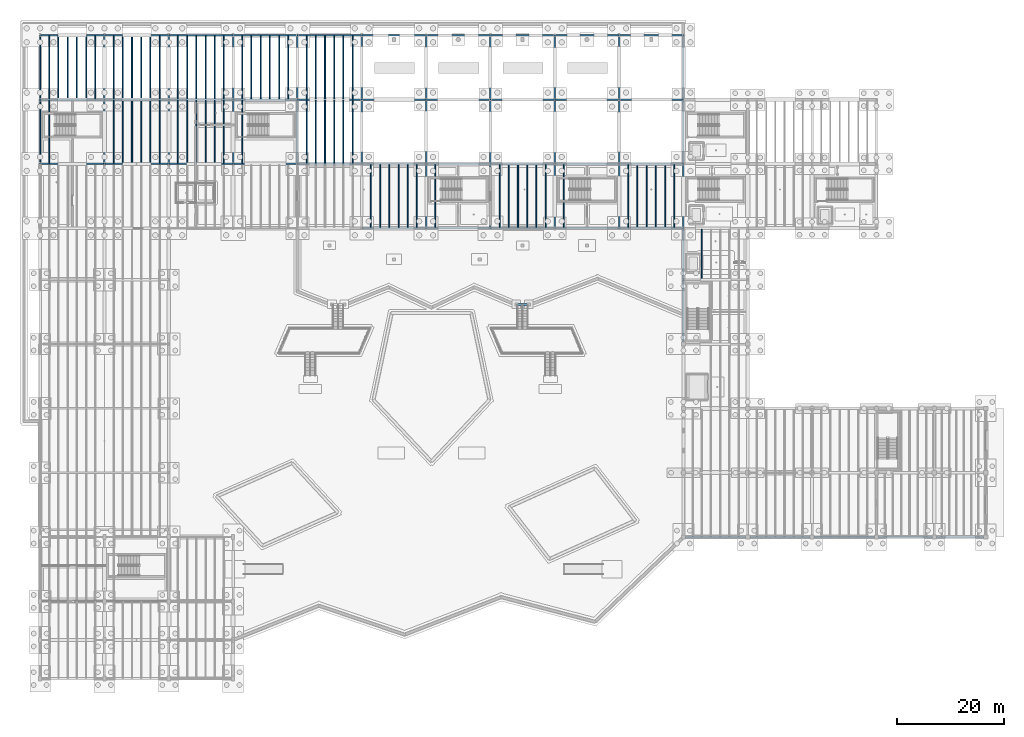
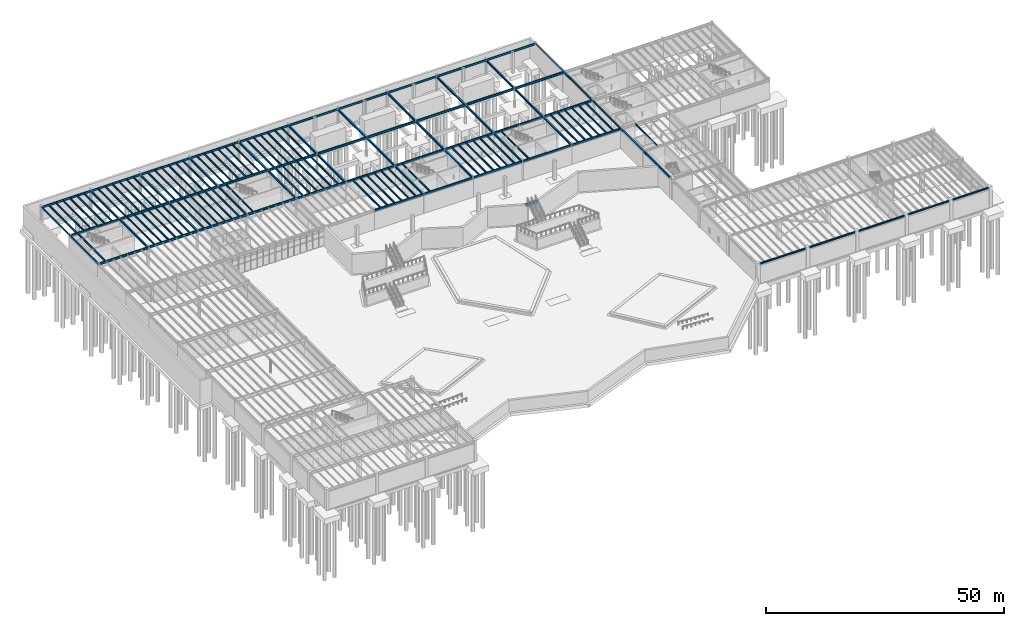
# One storey, part 26 of 67: 141 beams.
"""IFC4 building model written with IfcOpenShell, lengths in metres."""

from ifc_helpers import new_model, si_unit, direction, frame, origin, origin_2d, place, context, subcontext, project, spatial, rectangle, hollow_rectangle, i_section, extrude, material, material_profile, profile_set, type_object, element, save


model = new_model("IFC4")

# Units and contexts
model_context = context("Model", 3, precision=1e-05, world=origin(), true_north=direction((0.0, 1.0)))
body_context = subcontext(model_context, "Body", "Model", "MODEL_VIEW")
ifc_project = project(units=[si_unit("LENGTHUNIT", "METRE"), si_unit("AREAUNIT", "SQUARE_METRE"), si_unit("VOLUMEUNIT", "CUBIC_METRE"), si_unit("PLANEANGLEUNIT", "RADIAN"), si_unit("MASSUNIT", "GRAM", prefix="KILO")], contexts=[model_context])

# Site, building, storey
site_placement = place(None, origin())
site = spatial("IfcSite", under=ifc_project, at=site_placement, CompositionType="ELEMENT")
building_placement = place(site_placement, origin())
building = spatial("IfcBuilding", under=site, at=building_placement, Name="Zlatogorsky Bluff Art Gallery", CompositionType="ELEMENT")
storey_placement = place(building_placement, frame((0.0, 0.0, -5.39990234375)))
storey = spatial("IfcBuildingStorey", under=building, at=storey_placement, Name="B1", CompositionType="ELEMENT", Elevation=-5.39990234375)

# Beams
ifc_material_1 = material(Name="Steel S355", Category="steel")
ifc_material_profile_1 = material_profile(ifc_material_1, i_section(OverallWidth=0.300048828125, OverallDepth=0.550048828125, WebThickness=0.014892578125, FlangeThickness=0.029052734375, FilletRadius=0.027099609375, at=origin_2d()), Name="HEB 550")
ifc_profile_set_1 = profile_set([ifc_material_profile_1], Name="Steel S355")
beam_type_1 = type_object("IfcBeamType", Name="Beam BM-01 HEB 550", PredefinedType="BEAM", material=ifc_profile_set_1)
for number, where, z_axis, x_axis, name in (
    (1, (0.014892578125, 96.0, 4.764892578125), (1.0, 0.0, 0.0), (0.0, 1.0, 0.0), "Primary girder BM-01 B1 A-B/10"),
    (2, (0.014892578125, 108.0, 4.764892578125), (1.0, 0.0, 0.0), (0.0, 1.0, 0.0), "Primary girder BM-01 B1 A-B/11"),
    (3, (12.014892578125, 96.0, 4.844970703125), (1.0, 0.0, 0.0), (0.0, 1.0, 0.0), "Primary girder BM-01 B1 B-C/10"),
    (4, (12.014892578125, 108.0, 4.844970703125), (1.0, 0.0, 0.0), (0.0, 1.0, 0.0), "Primary girder BM-01 B1 B-C/11"),
    (5, (24.014892578125, 96.0, 4.844970703125), (1.0, 0.0, 0.0), (0.0, 1.0, 0.0), "Primary girder BM-01 B1 C-D/10"),
    (6, (24.014892578125, 108.0, 4.844970703125), (1.0, 0.0, 0.0), (0.0, 1.0, 0.0), "Primary girder BM-01 B1 C-D/11"),
    (7, (36.014892578125, 96.0, 4.844970703125), (1.0, 0.0, 0.0), (0.0, 1.0, 0.0), "Primary girder BM-01 B1 D-E/10"),
    (8, (36.014892578125, 108.0, 4.844970703125), (1.0, 0.0, 0.0), (0.0, 1.0, 0.0), "Primary girder BM-01 B1 D-E/11"),
    (9, (48.014892578125, 96.0, 4.764892578125), (1.0, 0.0, 0.0), (0.0, 1.0, 0.0), "Primary girder BM-01 B1 E-F/10"),
    (10, (48.014892578125, 108.0, 4.764892578125), (1.0, 0.0, 0.0), (0.0, 1.0, 0.0), "Primary girder BM-01 B1 E-F/11"),
    (11, (60.014892578125, 84.0, 4.764892578125), (1.0, 0.0, 0.0), (0.0, 1.0, 0.0), "Primary girder BM-01 B1 F-G/9"),
    (12, (60.014892578125, 96.0, 4.764892578125), (1.0, 0.0, 0.0), (0.0, 1.0, 0.0), "Primary girder BM-01 B1 F-G/10"),
    (13, (60.014892578125, 108.0, 4.764892578125), (1.0, 0.0, 0.0), (0.0, 1.0, 0.0), "Primary girder BM-01 B1 F-G/11"),
    (14, (72.014892578125, 84.0, 4.764892578125), (1.0, 0.0, 0.0), (0.0, 1.0, 0.0), "Primary girder BM-01 B1 G-H/9"),
    (15, (72.014892578125, 96.0, 4.764892578125), (1.0, 0.0, 0.0), (0.0, 1.0, 0.0), "Primary girder BM-01 B1 G-H/10"),
    (16, (72.014892578125, 108.0, 4.764892578125), (1.0, 0.0, 0.0), (0.0, 1.0, 0.0), "Primary girder BM-01 B1 G-H/11"),
    (17, (84.014892578125, 84.0, 4.764892578125), (1.0, 0.0, 0.0), (0.0, 1.0, 0.0), "Primary girder BM-01 B1 H-J/9"),
    (18, (84.014892578125, 96.0, 4.764892578125), (1.0, 0.0, 0.0), (0.0, 1.0, 0.0), "Primary girder BM-01 B1 H-J/10"),
    (19, (84.014892578125, 108.0, 4.764892578125), (1.0, 0.0, 0.0), (0.0, 1.0, 0.0), "Primary girder BM-01 B1 H-J/11"),
    (20, (96.014892578125, 84.0, 4.764892578125), (1.0, 0.0, 0.0), (0.0, 1.0, 0.0), "Primary girder BM-01 B1 J-K/9"),
    (21, (96.014892578125, 96.0, 4.764892578125), (1.0, 0.0, 0.0), (0.0, 1.0, 0.0), "Primary girder BM-01 B1 J-K/10"),
    (22, (96.014892578125, 108.0, 4.764892578125), (1.0, 0.0, 0.0), (0.0, 1.0, 0.0), "Primary girder BM-01 B1 J-K/11"),
    (23, (108.014892578125, 84.0, 4.764892578125), (1.0, 0.0, 0.0), (0.0, 1.0, 0.0), "Primary girder BM-01 B1 K-L/9"),
    (24, (108.014892578125, 96.0, 4.764892578125), (1.0, 0.0, 0.0), (0.0, 1.0, 0.0), "Primary girder BM-01 B1 K-L/10"),
    (25, (108.014892578125, 108.0, 4.764892578125), (1.0, 0.0, 0.0), (0.0, 1.0, 0.0), "Primary girder BM-01 B1 K-L/11"),
):
    element("IfcBeam", number, at=place(storey_placement, frame(where, z_axis=z_axis, x_axis=x_axis)), inside=storey, type_object=beam_type_1, Name=name, PredefinedType="BEAM", context=body_context, shape_type="SweptSolid", body=[
        extrude(i_section(OverallWidth=0.300048828125, OverallDepth=0.550048828125, WebThickness=0.014892578125, FlangeThickness=0.029052734375, FilletRadius=0.027099609375, at=origin_2d()), origin(), (0.0, 0.0, 1.0), 11.97021484375),
    ])
ifc_material_profile_2 = material_profile(ifc_material_1, i_section(OverallWidth=0.300048828125, OverallDepth=0.489990234375, WebThickness=0.011962890625, FlangeThickness=0.02294921875, FilletRadius=0.027099609375, at=origin_2d()), Name="HEA 500")
ifc_profile_set_2 = profile_set([ifc_material_profile_2], Name="Steel S355")
beam_type_2 = type_object("IfcBeamType", Name="Beam BM-07 HEA 500", PredefinedType="BEAM", material=ifc_profile_set_2)
for number, where, z_axis, x_axis, name in (
    (26, (12.0, 96.014892578125, 4.875), (0.0, 1.0, 0.0), (-1.0, 0.0, 0.0), "Primary girder BM-07 B1 B/10-11"),
    (27, (12.0, 108.014892578125, 4.794921875), (0.0, 1.0, 0.0), (-1.0, 0.0, 0.0), "Primary girder BM-07 B1 B/11-12"),
    (28, (24.0, 96.014892578125, 4.875), (0.0, 1.0, 0.0), (-1.0, 0.0, 0.0), "Primary girder BM-07 B1 C/10-11"),
    (29, (24.0, 108.014892578125, 4.794921875), (0.0, 1.0, 0.0), (-1.0, 0.0, 0.0), "Primary girder BM-07 B1 C/11-12"),
    (30, (36.0, 96.014892578125, 4.875), (0.0, 1.0, 0.0), (-1.0, 0.0, 0.0), "Primary girder BM-07 B1 D/10-11"),
    (31, (36.0, 108.014892578125, 4.794921875), (0.0, 1.0, 0.0), (-1.0, 0.0, 0.0), "Primary girder BM-07 B1 D/11-12"),
    (32, (48.0, 96.014892578125, 4.875), (0.0, 1.0, 0.0), (-1.0, 0.0, 0.0), "Primary girder BM-07 B1 E/10-11"),
    (33, (48.0, 108.014892578125, 4.794921875), (0.0, 1.0, 0.0), (-1.0, 0.0, 0.0), "Primary girder BM-07 B1 E/11-12"),
    (34, (60.0, 96.014892578125, 4.794921875), (0.0, 1.0, 0.0), (-1.0, 0.0, 0.0), "Primary girder BM-07 B1 F/10-11"),
    (35, (60.0, 108.014892578125, 4.794921875), (0.0, 1.0, 0.0), (-1.0, 0.0, 0.0), "Primary girder BM-07 B1 F/11-12"),
    (36, (72.0, 84.014892578125, 4.794921875), (0.0, 1.0, 0.0), (-1.0, 0.0, 0.0), "Primary girder BM-07 B1 G/9-10"),
    (37, (72.0, 96.014892578125, 4.794921875), (0.0, 1.0, 0.0), (-1.0, 0.0, 0.0), "Primary girder BM-07 B1 G/10-11"),
    (38, (72.0, 108.014892578125, 4.794921875), (0.0, 1.0, 0.0), (-1.0, 0.0, 0.0), "Primary girder BM-07 B1 G/11-12"),
    (39, (84.0, 84.014892578125, 4.794921875), (0.0, 1.0, 0.0), (-1.0, 0.0, 0.0), "Primary girder BM-07 B1 H/9-10"),
    (40, (84.0, 96.014892578125, 4.794921875), (0.0, 1.0, 0.0), (-1.0, 0.0, 0.0), "Primary girder BM-07 B1 H/10-11"),
    (41, (84.0, 108.014892578125, 4.794921875), (0.0, 1.0, 0.0), (-1.0, 0.0, 0.0), "Primary girder BM-07 B1 H/11-12"),
    (42, (96.0, 84.014892578125, 4.794921875), (0.0, 1.0, 0.0), (-1.0, 0.0, 0.0), "Primary girder BM-07 B1 J/9-10"),
    (43, (96.0, 96.014892578125, 4.794921875), (0.0, 1.0, 0.0), (-1.0, 0.0, 0.0), "Primary girder BM-07 B1 J/10-11"),
    (44, (96.0, 108.014892578125, 4.794921875), (0.0, 1.0, 0.0), (-1.0, 0.0, 0.0), "Primary girder BM-07 B1 J/11-12"),
    (45, (108.0, 84.014892578125, 4.794921875), (0.0, 1.0, 0.0), (-1.0, 0.0, 0.0), "Primary girder BM-07 B1 K/9-10"),
    (46, (108.0, 96.014892578125, 4.794921875), (0.0, 1.0, 0.0), (-1.0, 0.0, 0.0), "Primary girder BM-07 B1 K/10-11"),
    (47, (108.0, 108.014892578125, 4.794921875), (0.0, 1.0, 0.0), (-1.0, 0.0, 0.0), "Primary girder BM-07 B1 K/11-12"),
):
    element("IfcBeam", number, at=place(storey_placement, frame(where, z_axis=z_axis, x_axis=x_axis)), inside=storey, type_object=beam_type_2, Name=name, PredefinedType="BEAM", context=body_context, shape_type="SweptSolid", body=[
        extrude(i_section(OverallWidth=0.300048828125, OverallDepth=0.489990234375, WebThickness=0.011962890625, FlangeThickness=0.02294921875, FilletRadius=0.027099609375, at=origin_2d()), origin(), (0.0, 0.0, 1.0), 11.97021484375),
    ])
ifc_material_profile_3 = material_profile(ifc_material_1, i_section(OverallWidth=0.300048828125, OverallDepth=0.389892578125, WebThickness=0.010986328125, FlangeThickness=0.01904296875, FilletRadius=0.027099609375, at=origin_2d()), Name="HEA 400")
ifc_profile_set_3 = profile_set([ifc_material_profile_3], Name="Steel S355")
beam_type_3 = type_object("IfcBeamType", Name="Beam BM-09 HEA 400", PredefinedType="BEAM", material=ifc_profile_set_3)
for number, where, z_axis, x_axis, name in (
    (48, (120.3798828125, 26.39990234375, 4.9248046875), (1.0, 0.0, 0.0), (0.0, 1.0, 0.0), "Primary girder BM-09 B1 L-M/4"),
    (49, (132.3798828125, 26.39990234375, 4.9248046875), (1.0, 0.0, 0.0), (0.0, 1.0, 0.0), "Primary girder BM-09 B1 M-N/4"),
    (50, (144.3798828125, 26.39990234375, 4.9248046875), (1.0, 0.0, 0.0), (0.0, 1.0, 0.0), "Primary girder BM-09 B1 N-P/4"),
):
    element("IfcBeam", number, at=place(storey_placement, frame(where, z_axis=z_axis, x_axis=x_axis)), inside=storey, type_object=beam_type_3, Name=name, PredefinedType="BEAM", context=body_context, shape_type="SweptSolid", body=[
        extrude(i_section(OverallWidth=0.300048828125, OverallDepth=0.389892578125, WebThickness=0.010986328125, FlangeThickness=0.01904296875, FilletRadius=0.027099609375, at=origin_2d()), origin(), (0.0, 0.0, 1.0), 11.240234375),
    ])
beam_1_placement = place(storey_placement, frame((120.0, 62.780029296875, 4.844970703125), z_axis=(0.0, 1.0, 0.0), x_axis=(-1.0, 0.0, 0.0)))
element("IfcBeam", 51, at=beam_1_placement, inside=storey, type_object=beam_type_3, Name="Primary girder BM-09 B1 L/7-8", PredefinedType="BEAM", context=body_context, shape_type="SweptSolid", body=[
    extrude(i_section(OverallWidth=0.300048828125, OverallDepth=0.389892578125, WebThickness=0.010986328125, FlangeThickness=0.01904296875, FilletRadius=0.027099609375, at=origin_2d()), origin(), (0.0, 0.0, 1.0), 11.60498046875),
])
for number, where, z_axis, x_axis, name in (
    (52, (120.0, 84.014892578125, 4.844970703125), (0.0, 1.0, 0.0), (-1.0, 0.0, 0.0), "Primary girder BM-09 B1 L/9-10"),
    (53, (120.0, 96.014892578125, 4.844970703125), (0.0, 1.0, 0.0), (-1.0, 0.0, 0.0), "Primary girder BM-09 B1 L/10-11"),
    (54, (120.0, 108.014892578125, 4.844970703125), (0.0, 1.0, 0.0), (-1.0, 0.0, 0.0), "Primary girder BM-09 B1 L/11-12"),
):
    element("IfcBeam", number, at=place(storey_placement, frame(where, z_axis=z_axis, x_axis=x_axis)), inside=storey, type_object=beam_type_3, Name=name, PredefinedType="BEAM", context=body_context, shape_type="SweptSolid", body=[
        extrude(i_section(OverallWidth=0.300048828125, OverallDepth=0.389892578125, WebThickness=0.010986328125, FlangeThickness=0.01904296875, FilletRadius=0.027099609375, at=origin_2d()), origin(), (0.0, 0.0, 1.0), 11.97021484375),
    ])
ifc_material_profile_4 = material_profile(ifc_material_1, i_section(OverallWidth=0.300048828125, OverallDepth=0.35009765625, WebThickness=0.010009765625, FlangeThickness=0.017578125, FilletRadius=0.027099609375, at=origin_2d()), Name="HEA 360")
ifc_profile_set_4 = profile_set([ifc_material_profile_4], Name="Steel S355")
beam_type_4 = type_object("IfcBeamType", Name="Beam BM-10 HEA 360", PredefinedType="BEAM", material=ifc_profile_set_4)
beam_2_placement = place(storey_placement, frame((156.3798828125, 26.39990234375, 4.94482421875), z_axis=(1.0, 0.0, 0.0), x_axis=(0.0, 1.0, 0.0)))
element("IfcBeam", 55, at=beam_2_placement, inside=storey, type_object=beam_type_4, Name="Primary girder BM-10 B1 P-Q/4", PredefinedType="BEAM", context=body_context, shape_type="SweptSolid", body=[
    extrude(i_section(OverallWidth=0.300048828125, OverallDepth=0.35009765625, WebThickness=0.010009765625, FlangeThickness=0.017578125, FilletRadius=0.027099609375, at=origin_2d()), origin(), (0.0, 0.0, 1.0), 10.0400390625),
])
beam_3_placement = place(storey_placement, frame((167.179931640625, 26.39990234375, 4.94482421875), z_axis=(1.0, 0.0, 0.0), x_axis=(0.0, 1.0, 0.0)))
element("IfcBeam", 56, at=beam_3_placement, inside=storey, type_object=beam_type_4, Name="Primary girder BM-10 B1 Q-R/4", PredefinedType="BEAM", context=body_context, shape_type="SweptSolid", body=[
    extrude(i_section(OverallWidth=0.300048828125, OverallDepth=0.35009765625, WebThickness=0.010009765625, FlangeThickness=0.017578125, FilletRadius=0.027099609375, at=origin_2d()), origin(), (0.0, 0.0, 1.0), 8.840087890625),
])
beam_4_placement = place(storey_placement, frame((120.0, 74.4150390625, 4.864990234375), z_axis=(0.0, 1.0, 0.0), x_axis=(-1.0, 0.0, 0.0)))
element("IfcBeam", 57, at=beam_4_placement, inside=storey, type_object=beam_type_4, Name="Primary girder BM-10 B1 L/8-9", PredefinedType="BEAM", context=body_context, shape_type="SweptSolid", body=[
    extrude(i_section(OverallWidth=0.300048828125, OverallDepth=0.35009765625, WebThickness=0.010009765625, FlangeThickness=0.017578125, FilletRadius=0.027099609375, at=origin_2d()), origin(), (0.0, 0.0, 1.0), 9.570068359375),
])
ifc_material_2 = material(Name="Concrete C35/45", Category="concrete")
ifc_material_profile_5 = material_profile(ifc_material_2, rectangle(XDim=0.39990234375, YDim=0.60009765625, at=origin_2d()), Name="RCB 400x600")
ifc_profile_set_5 = profile_set([ifc_material_profile_5], Name="Concrete C35/45")
beam_type_5 = type_object("IfcBeamType", Name="Beam BM-15 RCB 400x600", PredefinedType="BEAM", material=ifc_profile_set_5)
beam_5_placement = place(storey_placement, frame((88.60009765625, 69.800048828125, 4.739990234375), z_axis=(1.0, 0.0, 0.0), x_axis=(0.0, 1.0, 0.0)))
element("IfcBeam", 58, at=beam_5_placement, inside=storey, type_object=beam_type_5, Name="Amphitheatre 2 upper landing header beam", PredefinedType="BEAM", context=body_context, shape_type="SweptSolid", body=[
    extrude(rectangle(XDim=0.39990234375, YDim=0.60009765625, at=origin_2d()), origin(), (0.0, 0.0, 1.0), 2.7998046875),
])
ifc_material_profile_6 = material_profile(ifc_material_1, i_section(OverallWidth=0.169921875, OverallDepth=0.360107421875, WebThickness=0.008056640625, FlangeThickness=0.0126953125, FilletRadius=0.01806640625, at=origin_2d()), Name="IPE 360")
ifc_profile_set_6 = profile_set([ifc_material_profile_6], Name="Steel S355")
beam_type_6 = type_object("IfcBeamType", Name="Beam JS-04 IPE 360", PredefinedType="JOIST", material=ifc_profile_set_6)
beam_6_placement = place(storey_placement, frame((123.428466796875, 74.550048828125, 4.93994140625), z_axis=(0.0, 1.0, 0.0), x_axis=(-1.0, 0.0, 0.0)))
element("IfcBeam", 59, at=beam_6_placement, inside=storey, type_object=beam_type_6, Name="Composite floor joist JS-04 B1 10.07.2", PredefinedType="JOIST", context=body_context, shape_type="SweptSolid", body=[
    extrude(i_section(OverallWidth=0.169921875, OverallDepth=0.360107421875, WebThickness=0.008056640625, FlangeThickness=0.0126953125, FilletRadius=0.01806640625, at=origin_2d()), origin(), (0.0, 0.0, 1.0), 9.300048828125),
])
ifc_material_profile_7 = material_profile(ifc_material_1, i_section(OverallWidth=0.18994140625, OverallDepth=0.449951171875, WebThickness=0.009521484375, FlangeThickness=0.0146484375, FilletRadius=0.02099609375, at=origin_2d()), Name="IPE 450")
ifc_profile_set_7 = profile_set([ifc_material_profile_7], Name="Steel S355")
beam_type_7 = type_object("IfcBeamType", Name="Beam JS-06 IPE 450", PredefinedType="JOIST", material=ifc_profile_set_7)
beam_7_placement = place(storey_placement, frame((1.71435546875, 96.14990234375, 4.89501953125), z_axis=(0.0, 1.0, 0.0), x_axis=(-1.0, 0.0, 0.0)))
element("IfcBeam", 60, at=beam_7_placement, inside=storey, type_object=beam_type_7, Name="Composite floor joist JS-06 B1 00.09.1", PredefinedType="JOIST", context=body_context, shape_type="SweptSolid", body=[
    extrude(i_section(OverallWidth=0.18994140625, OverallDepth=0.449951171875, WebThickness=0.009521484375, FlangeThickness=0.0146484375, FilletRadius=0.02099609375, at=origin_2d()), origin(), (0.0, 0.0, 1.0), 11.7001953125),
])
for number, where, z_axis, x_axis, name in (
    (61, (1.71435546875, 108.14990234375, 4.81494140625), (0.0, 1.0, 0.0), (-1.0, 0.0, 0.0), "Composite floor joist JS-06 B1 00.10.1"),
    (62, (3.428466796875, 108.14990234375, 4.81494140625), (0.0, 1.0, 0.0), (-1.0, 0.0, 0.0), "Composite floor joist JS-06 B1 00.10.2"),
    (63, (5.142822265625, 108.14990234375, 4.81494140625), (0.0, 1.0, 0.0), (-1.0, 0.0, 0.0), "Composite floor joist JS-06 B1 00.10.3"),
    (64, (6.857177734375, 108.14990234375, 4.81494140625), (0.0, 1.0, 0.0), (-1.0, 0.0, 0.0), "Composite floor joist JS-06 B1 00.10.4"),
    (65, (8.571533203125, 108.14990234375, 4.81494140625), (0.0, 1.0, 0.0), (-1.0, 0.0, 0.0), "Composite floor joist JS-06 B1 00.10.5"),
    (66, (10.28564453125, 108.14990234375, 4.81494140625), (0.0, 1.0, 0.0), (-1.0, 0.0, 0.0), "Composite floor joist JS-06 B1 00.10.6"),
):
    element("IfcBeam", number, at=place(storey_placement, frame(where, z_axis=z_axis, x_axis=x_axis)), inside=storey, type_object=beam_type_7, Name=name, PredefinedType="JOIST", context=body_context, shape_type="SweptSolid", body=[
        extrude(i_section(OverallWidth=0.18994140625, OverallDepth=0.449951171875, WebThickness=0.009521484375, FlangeThickness=0.0146484375, FilletRadius=0.02099609375, at=origin_2d()), origin(), (0.0, 0.0, 1.0), 11.75),
    ])
for number, where, z_axis, x_axis, name in (
    (67, (13.71435546875, 96.14990234375, 4.89501953125), (0.0, 1.0, 0.0), (-1.0, 0.0, 0.0), "Composite floor joist JS-06 B1 01.09.1"),
    (68, (15.428466796875, 96.14990234375, 4.89501953125), (0.0, 1.0, 0.0), (-1.0, 0.0, 0.0), "Composite floor joist JS-06 B1 01.09.2"),
    (69, (17.142822265625, 96.14990234375, 4.89501953125), (0.0, 1.0, 0.0), (-1.0, 0.0, 0.0), "Composite floor joist JS-06 B1 01.09.3"),
    (70, (18.857177734375, 96.14990234375, 4.89501953125), (0.0, 1.0, 0.0), (-1.0, 0.0, 0.0), "Composite floor joist JS-06 B1 01.09.4"),
    (71, (20.571533203125, 96.14990234375, 4.89501953125), (0.0, 1.0, 0.0), (-1.0, 0.0, 0.0), "Composite floor joist JS-06 B1 01.09.5"),
    (72, (22.28564453125, 96.14990234375, 4.89501953125), (0.0, 1.0, 0.0), (-1.0, 0.0, 0.0), "Composite floor joist JS-06 B1 01.09.6"),
):
    element("IfcBeam", number, at=place(storey_placement, frame(where, z_axis=z_axis, x_axis=x_axis)), inside=storey, type_object=beam_type_7, Name=name, PredefinedType="JOIST", context=body_context, shape_type="SweptSolid", body=[
        extrude(i_section(OverallWidth=0.18994140625, OverallDepth=0.449951171875, WebThickness=0.009521484375, FlangeThickness=0.0146484375, FilletRadius=0.02099609375, at=origin_2d()), origin(), (0.0, 0.0, 1.0), 11.7001953125),
    ])
for number, where, z_axis, x_axis, name in (
    (73, (13.71435546875, 108.14990234375, 4.81494140625), (0.0, 1.0, 0.0), (-1.0, 0.0, 0.0), "Composite floor joist JS-06 B1 01.10.1"),
    (74, (15.428466796875, 108.14990234375, 4.81494140625), (0.0, 1.0, 0.0), (-1.0, 0.0, 0.0), "Composite floor joist JS-06 B1 01.10.2"),
    (75, (17.142822265625, 108.14990234375, 4.81494140625), (0.0, 1.0, 0.0), (-1.0, 0.0, 0.0), "Composite floor joist JS-06 B1 01.10.3"),
    (76, (18.857177734375, 108.14990234375, 4.81494140625), (0.0, 1.0, 0.0), (-1.0, 0.0, 0.0), "Composite floor joist JS-06 B1 01.10.4"),
    (77, (20.571533203125, 108.14990234375, 4.81494140625), (0.0, 1.0, 0.0), (-1.0, 0.0, 0.0), "Composite floor joist JS-06 B1 01.10.5"),
    (78, (22.28564453125, 108.14990234375, 4.81494140625), (0.0, 1.0, 0.0), (-1.0, 0.0, 0.0), "Composite floor joist JS-06 B1 01.10.6"),
):
    element("IfcBeam", number, at=place(storey_placement, frame(where, z_axis=z_axis, x_axis=x_axis)), inside=storey, type_object=beam_type_7, Name=name, PredefinedType="JOIST", context=body_context, shape_type="SweptSolid", body=[
        extrude(i_section(OverallWidth=0.18994140625, OverallDepth=0.449951171875, WebThickness=0.009521484375, FlangeThickness=0.0146484375, FilletRadius=0.02099609375, at=origin_2d()), origin(), (0.0, 0.0, 1.0), 11.75),
    ])
for number, where, z_axis, x_axis, name in (
    (79, (25.71435546875, 96.14990234375, 4.89501953125), (0.0, 1.0, 0.0), (-1.0, 0.0, 0.0), "Composite floor joist JS-06 B1 02.09.1"),
    (80, (27.428466796875, 96.14990234375, 4.89501953125), (0.0, 1.0, 0.0), (-1.0, 0.0, 0.0), "Composite floor joist JS-06 B1 02.09.2"),
    (81, (29.142822265625, 96.14990234375, 4.89501953125), (0.0, 1.0, 0.0), (-1.0, 0.0, 0.0), "Composite floor joist JS-06 B1 02.09.3"),
    (82, (30.857177734375, 96.14990234375, 4.89501953125), (0.0, 1.0, 0.0), (-1.0, 0.0, 0.0), "Composite floor joist JS-06 B1 02.09.4"),
    (83, (32.571533203125, 96.14990234375, 4.89501953125), (0.0, 1.0, 0.0), (-1.0, 0.0, 0.0), "Composite floor joist JS-06 B1 02.09.5"),
    (84, (34.28564453125, 96.14990234375, 4.89501953125), (0.0, 1.0, 0.0), (-1.0, 0.0, 0.0), "Composite floor joist JS-06 B1 02.09.6"),
):
    element("IfcBeam", number, at=place(storey_placement, frame(where, z_axis=z_axis, x_axis=x_axis)), inside=storey, type_object=beam_type_7, Name=name, PredefinedType="JOIST", context=body_context, shape_type="SweptSolid", body=[
        extrude(i_section(OverallWidth=0.18994140625, OverallDepth=0.449951171875, WebThickness=0.009521484375, FlangeThickness=0.0146484375, FilletRadius=0.02099609375, at=origin_2d()), origin(), (0.0, 0.0, 1.0), 11.7001953125),
    ])
for number, where, z_axis, x_axis, name in (
    (85, (25.71435546875, 108.14990234375, 4.81494140625), (0.0, 1.0, 0.0), (-1.0, 0.0, 0.0), "Composite floor joist JS-06 B1 02.10.1"),
    (86, (27.428466796875, 108.14990234375, 4.81494140625), (0.0, 1.0, 0.0), (-1.0, 0.0, 0.0), "Composite floor joist JS-06 B1 02.10.2"),
    (87, (29.142822265625, 108.14990234375, 4.81494140625), (0.0, 1.0, 0.0), (-1.0, 0.0, 0.0), "Composite floor joist JS-06 B1 02.10.3"),
    (88, (30.857177734375, 108.14990234375, 4.81494140625), (0.0, 1.0, 0.0), (-1.0, 0.0, 0.0), "Composite floor joist JS-06 B1 02.10.4"),
    (89, (32.571533203125, 108.14990234375, 4.81494140625), (0.0, 1.0, 0.0), (-1.0, 0.0, 0.0), "Composite floor joist JS-06 B1 02.10.5"),
    (90, (34.28564453125, 108.14990234375, 4.81494140625), (0.0, 1.0, 0.0), (-1.0, 0.0, 0.0), "Composite floor joist JS-06 B1 02.10.6"),
):
    element("IfcBeam", number, at=place(storey_placement, frame(where, z_axis=z_axis, x_axis=x_axis)), inside=storey, type_object=beam_type_7, Name=name, PredefinedType="JOIST", context=body_context, shape_type="SweptSolid", body=[
        extrude(i_section(OverallWidth=0.18994140625, OverallDepth=0.449951171875, WebThickness=0.009521484375, FlangeThickness=0.0146484375, FilletRadius=0.02099609375, at=origin_2d()), origin(), (0.0, 0.0, 1.0), 11.75),
    ])
beam_8_placement = place(storey_placement, frame((37.71435546875, 96.14990234375, 4.89501953125), z_axis=(0.0, 1.0, 0.0), x_axis=(-1.0, 0.0, 0.0)))
element("IfcBeam", 91, at=beam_8_placement, inside=storey, type_object=beam_type_7, Name="Composite floor joist JS-06 B1 03.09.1", PredefinedType="JOIST", context=body_context, shape_type="SweptSolid", body=[
    extrude(i_section(OverallWidth=0.18994140625, OverallDepth=0.449951171875, WebThickness=0.009521484375, FlangeThickness=0.0146484375, FilletRadius=0.02099609375, at=origin_2d()), origin(), (0.0, 0.0, 1.0), 11.7001953125),
])
for number, where, z_axis, x_axis, name in (
    (92, (37.71435546875, 108.14990234375, 4.81494140625), (0.0, 1.0, 0.0), (-1.0, 0.0, 0.0), "Composite floor joist JS-06 B1 03.10.1"),
    (93, (39.428466796875, 108.14990234375, 4.81494140625), (0.0, 1.0, 0.0), (-1.0, 0.0, 0.0), "Composite floor joist JS-06 B1 03.10.2"),
    (94, (41.142822265625, 108.14990234375, 4.81494140625), (0.0, 1.0, 0.0), (-1.0, 0.0, 0.0), "Composite floor joist JS-06 B1 03.10.3"),
    (95, (42.857177734375, 108.14990234375, 4.81494140625), (0.0, 1.0, 0.0), (-1.0, 0.0, 0.0), "Composite floor joist JS-06 B1 03.10.4"),
    (96, (44.571533203125, 108.14990234375, 4.81494140625), (0.0, 1.0, 0.0), (-1.0, 0.0, 0.0), "Composite floor joist JS-06 B1 03.10.5"),
    (97, (46.28564453125, 108.14990234375, 4.81494140625), (0.0, 1.0, 0.0), (-1.0, 0.0, 0.0), "Composite floor joist JS-06 B1 03.10.6"),
):
    element("IfcBeam", number, at=place(storey_placement, frame(where, z_axis=z_axis, x_axis=x_axis)), inside=storey, type_object=beam_type_7, Name=name, PredefinedType="JOIST", context=body_context, shape_type="SweptSolid", body=[
        extrude(i_section(OverallWidth=0.18994140625, OverallDepth=0.449951171875, WebThickness=0.009521484375, FlangeThickness=0.0146484375, FilletRadius=0.02099609375, at=origin_2d()), origin(), (0.0, 0.0, 1.0), 11.75),
    ])
for number, where, z_axis, x_axis, name in (
    (98, (49.71435546875, 96.14990234375, 4.89501953125), (0.0, 1.0, 0.0), (-1.0, 0.0, 0.0), "Composite floor joist JS-06 B1 04.09.1"),
    (99, (51.428466796875, 96.14990234375, 4.89501953125), (0.0, 1.0, 0.0), (-1.0, 0.0, 0.0), "Composite floor joist JS-06 B1 04.09.2"),
    (100, (53.142822265625, 96.14990234375, 4.89501953125), (0.0, 1.0, 0.0), (-1.0, 0.0, 0.0), "Composite floor joist JS-06 B1 04.09.3"),
    (101, (54.857177734375, 96.14990234375, 4.89501953125), (0.0, 1.0, 0.0), (-1.0, 0.0, 0.0), "Composite floor joist JS-06 B1 04.09.4"),
    (102, (56.571533203125, 96.14990234375, 4.89501953125), (0.0, 1.0, 0.0), (-1.0, 0.0, 0.0), "Composite floor joist JS-06 B1 04.09.5"),
    (103, (58.28564453125, 96.14990234375, 4.89501953125), (0.0, 1.0, 0.0), (-1.0, 0.0, 0.0), "Composite floor joist JS-06 B1 04.09.6"),
):
    element("IfcBeam", number, at=place(storey_placement, frame(where, z_axis=z_axis, x_axis=x_axis)), inside=storey, type_object=beam_type_7, Name=name, PredefinedType="JOIST", context=body_context, shape_type="SweptSolid", body=[
        extrude(i_section(OverallWidth=0.18994140625, OverallDepth=0.449951171875, WebThickness=0.009521484375, FlangeThickness=0.0146484375, FilletRadius=0.02099609375, at=origin_2d()), origin(), (0.0, 0.0, 1.0), 11.7001953125),
    ])
for number, where, z_axis, x_axis, name in (
    (104, (49.71435546875, 108.14990234375, 4.81494140625), (0.0, 1.0, 0.0), (-1.0, 0.0, 0.0), "Composite floor joist JS-06 B1 04.10.1"),
    (105, (51.428466796875, 108.14990234375, 4.81494140625), (0.0, 1.0, 0.0), (-1.0, 0.0, 0.0), "Composite floor joist JS-06 B1 04.10.2"),
    (106, (53.142822265625, 108.14990234375, 4.81494140625), (0.0, 1.0, 0.0), (-1.0, 0.0, 0.0), "Composite floor joist JS-06 B1 04.10.3"),
    (107, (54.857177734375, 108.14990234375, 4.81494140625), (0.0, 1.0, 0.0), (-1.0, 0.0, 0.0), "Composite floor joist JS-06 B1 04.10.4"),
    (108, (56.571533203125, 108.14990234375, 4.81494140625), (0.0, 1.0, 0.0), (-1.0, 0.0, 0.0), "Composite floor joist JS-06 B1 04.10.5"),
    (109, (58.28564453125, 108.14990234375, 4.81494140625), (0.0, 1.0, 0.0), (-1.0, 0.0, 0.0), "Composite floor joist JS-06 B1 04.10.6"),
):
    element("IfcBeam", number, at=place(storey_placement, frame(where, z_axis=z_axis, x_axis=x_axis)), inside=storey, type_object=beam_type_7, Name=name, PredefinedType="JOIST", context=body_context, shape_type="SweptSolid", body=[
        extrude(i_section(OverallWidth=0.18994140625, OverallDepth=0.449951171875, WebThickness=0.009521484375, FlangeThickness=0.0146484375, FilletRadius=0.02099609375, at=origin_2d()), origin(), (0.0, 0.0, 1.0), 11.75),
    ])
for number, where, z_axis, x_axis, name in (
    (110, (61.71435546875, 84.14990234375, 4.81494140625), (0.0, 1.0, 0.0), (-1.0, 0.0, 0.0), "Composite floor joist JS-06 B1 05.08.1"),
    (111, (63.428466796875, 84.14990234375, 4.81494140625), (0.0, 1.0, 0.0), (-1.0, 0.0, 0.0), "Composite floor joist JS-06 B1 05.08.2"),
    (112, (65.142822265625, 84.14990234375, 4.81494140625), (0.0, 1.0, 0.0), (-1.0, 0.0, 0.0), "Composite floor joist JS-06 B1 05.08.3"),
    (113, (66.857177734375, 84.14990234375, 4.81494140625), (0.0, 1.0, 0.0), (-1.0, 0.0, 0.0), "Composite floor joist JS-06 B1 05.08.4"),
    (114, (68.571533203125, 84.14990234375, 4.81494140625), (0.0, 1.0, 0.0), (-1.0, 0.0, 0.0), "Composite floor joist JS-06 B1 05.08.5"),
    (115, (70.28564453125, 84.14990234375, 4.81494140625), (0.0, 1.0, 0.0), (-1.0, 0.0, 0.0), "Composite floor joist JS-06 B1 05.08.6"),
    (116, (73.71435546875, 84.14990234375, 4.81494140625), (0.0, 1.0, 0.0), (-1.0, 0.0, 0.0), "Composite floor joist JS-06 B1 06.08.1"),
    (117, (85.71435546875, 84.14990234375, 4.81494140625), (0.0, 1.0, 0.0), (-1.0, 0.0, 0.0), "Composite floor joist JS-06 B1 07.08.1"),
    (118, (87.428466796875, 84.14990234375, 4.81494140625), (0.0, 1.0, 0.0), (-1.0, 0.0, 0.0), "Composite floor joist JS-06 B1 07.08.2"),
    (119, (89.142822265625, 84.14990234375, 4.81494140625), (0.0, 1.0, 0.0), (-1.0, 0.0, 0.0), "Composite floor joist JS-06 B1 07.08.3"),
    (120, (90.857177734375, 84.14990234375, 4.81494140625), (0.0, 1.0, 0.0), (-1.0, 0.0, 0.0), "Composite floor joist JS-06 B1 07.08.4"),
    (121, (92.571533203125, 84.14990234375, 4.81494140625), (0.0, 1.0, 0.0), (-1.0, 0.0, 0.0), "Composite floor joist JS-06 B1 07.08.5"),
    (122, (94.28564453125, 84.14990234375, 4.81494140625), (0.0, 1.0, 0.0), (-1.0, 0.0, 0.0), "Composite floor joist JS-06 B1 07.08.6"),
    (123, (97.71435546875, 84.14990234375, 4.81494140625), (0.0, 1.0, 0.0), (-1.0, 0.0, 0.0), "Composite floor joist JS-06 B1 08.08.1"),
    (124, (109.71435546875, 84.14990234375, 4.81494140625), (0.0, 1.0, 0.0), (-1.0, 0.0, 0.0), "Composite floor joist JS-06 B1 09.08.1"),
    (125, (111.428466796875, 84.14990234375, 4.81494140625), (0.0, 1.0, 0.0), (-1.0, 0.0, 0.0), "Composite floor joist JS-06 B1 09.08.2"),
    (126, (113.142822265625, 84.14990234375, 4.81494140625), (0.0, 1.0, 0.0), (-1.0, 0.0, 0.0), "Composite floor joist JS-06 B1 09.08.3"),
    (127, (114.857177734375, 84.14990234375, 4.81494140625), (0.0, 1.0, 0.0), (-1.0, 0.0, 0.0), "Composite floor joist JS-06 B1 09.08.4"),
    (128, (116.571533203125, 84.14990234375, 4.81494140625), (0.0, 1.0, 0.0), (-1.0, 0.0, 0.0), "Composite floor joist JS-06 B1 09.08.5"),
    (129, (118.28564453125, 84.14990234375, 4.81494140625), (0.0, 1.0, 0.0), (-1.0, 0.0, 0.0), "Composite floor joist JS-06 B1 09.08.6"),
):
    element("IfcBeam", number, at=place(storey_placement, frame(where, z_axis=z_axis, x_axis=x_axis)), inside=storey, type_object=beam_type_7, Name=name, PredefinedType="JOIST", context=body_context, shape_type="SweptSolid", body=[
        extrude(i_section(OverallWidth=0.18994140625, OverallDepth=0.449951171875, WebThickness=0.009521484375, FlangeThickness=0.0146484375, FilletRadius=0.02099609375, at=origin_2d()), origin(), (0.0, 0.0, 1.0), 11.7001953125),
    ])
ifc_material_profile_8 = material_profile(ifc_material_1, i_section(OverallWidth=0.199951171875, OverallDepth=0.5, WebThickness=0.01025390625, FlangeThickness=0.01611328125, FilletRadius=0.02099609375, at=origin_2d()), Name="IPE 500")
ifc_profile_set_8 = profile_set([ifc_material_profile_8], Name="Steel S355")
beam_type_8 = type_object("IfcBeamType", Name="Beam SP-01 IPE 500", PredefinedType="SPANDREL", material=ifc_profile_set_8)
for number, where, z_axis, x_axis, name in (
    (130, (0.014892578125, 120.0, 4.789794921875), (1.0, 0.0, 0.0), (0.0, 1.0, 0.0), "Primary girder SP-01 B1 A-B/12"),
    (131, (12.014892578125, 120.0, 4.789794921875), (1.0, 0.0, 0.0), (0.0, 1.0, 0.0), "Primary girder SP-01 B1 B-C/12"),
    (132, (24.014892578125, 120.0, 4.789794921875), (1.0, 0.0, 0.0), (0.0, 1.0, 0.0), "Primary girder SP-01 B1 C-D/12"),
    (133, (36.014892578125, 120.0, 4.789794921875), (1.0, 0.0, 0.0), (0.0, 1.0, 0.0), "Primary girder SP-01 B1 D-E/12"),
    (134, (48.014892578125, 120.0, 4.789794921875), (1.0, 0.0, 0.0), (0.0, 1.0, 0.0), "Primary girder SP-01 B1 E-F/12"),
    (135, (60.014892578125, 120.0, 4.789794921875), (1.0, 0.0, 0.0), (0.0, 1.0, 0.0), "Primary girder SP-01 B1 F-G/12"),
    (136, (72.014892578125, 120.0, 4.789794921875), (1.0, 0.0, 0.0), (0.0, 1.0, 0.0), "Primary girder SP-01 B1 G-H/12"),
    (137, (84.014892578125, 120.0, 4.789794921875), (1.0, 0.0, 0.0), (0.0, 1.0, 0.0), "Primary girder SP-01 B1 H-J/12"),
    (138, (96.014892578125, 120.0, 4.789794921875), (1.0, 0.0, 0.0), (0.0, 1.0, 0.0), "Primary girder SP-01 B1 J-K/12"),
    (139, (108.014892578125, 120.0, 4.789794921875), (1.0, 0.0, 0.0), (0.0, 1.0, 0.0), "Primary girder SP-01 B1 K-L/12"),
):
    element("IfcBeam", number, at=place(storey_placement, frame(where, z_axis=z_axis, x_axis=x_axis)), inside=storey, type_object=beam_type_8, Name=name, PredefinedType="SPANDREL", context=body_context, shape_type="SweptSolid", body=[
        extrude(i_section(OverallWidth=0.199951171875, OverallDepth=0.5, WebThickness=0.01025390625, FlangeThickness=0.01611328125, FilletRadius=0.02099609375, at=origin_2d()), origin(), (0.0, 0.0, 1.0), 11.97021484375),
    ])
ifc_material_profile_9 = material_profile(ifc_material_1, hollow_rectangle(XDim=0.199951171875, YDim=0.39990234375, WallThickness=0.01611328125, at=origin_2d()), Name="RHS 400x200x16")
ifc_profile_set_9 = profile_set([ifc_material_profile_9], Name="Steel S355")
beam_type_9 = type_object("IfcBeamType", Name="Beam SP-02 RHS 400x200x16", PredefinedType="SPANDREL", material=ifc_profile_set_9)
for number, where, z_axis, x_axis, name in (
    (140, (0.0, 96.014892578125, 4.83984375), (0.0, 1.0, 0.0), (-1.0, 0.0, 0.0), "Primary girder SP-02 B1 A/10-11"),
    (141, (0.0, 108.014892578125, 4.83984375), (0.0, 1.0, 0.0), (-1.0, 0.0, 0.0), "Primary girder SP-02 B1 A/11-12"),
):
    element("IfcBeam", number, at=place(storey_placement, frame(where, z_axis=z_axis, x_axis=x_axis)), inside=storey, type_object=beam_type_9, Name=name, PredefinedType="SPANDREL", context=body_context, shape_type="SweptSolid", body=[
        extrude(hollow_rectangle(XDim=0.199951171875, YDim=0.39990234375, WallThickness=0.01611328125, at=origin_2d()), origin(), (0.0, 0.0, 1.0), 11.97021484375),
    ])

save(model, "model.ifc")
